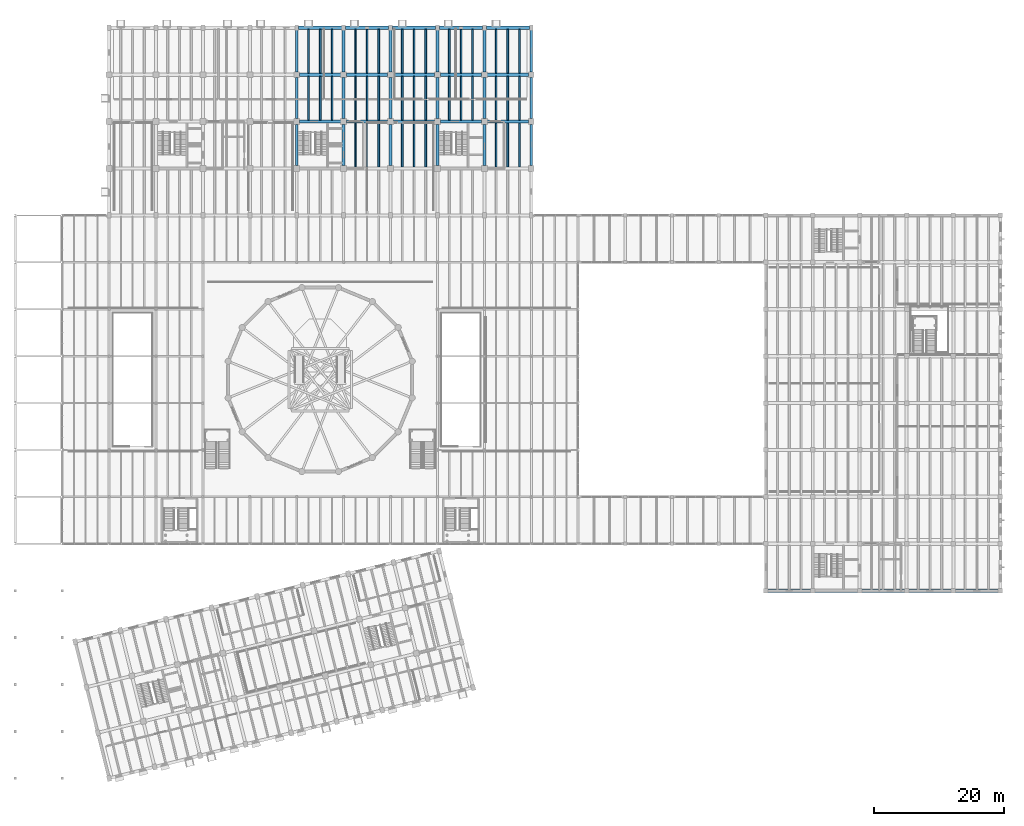
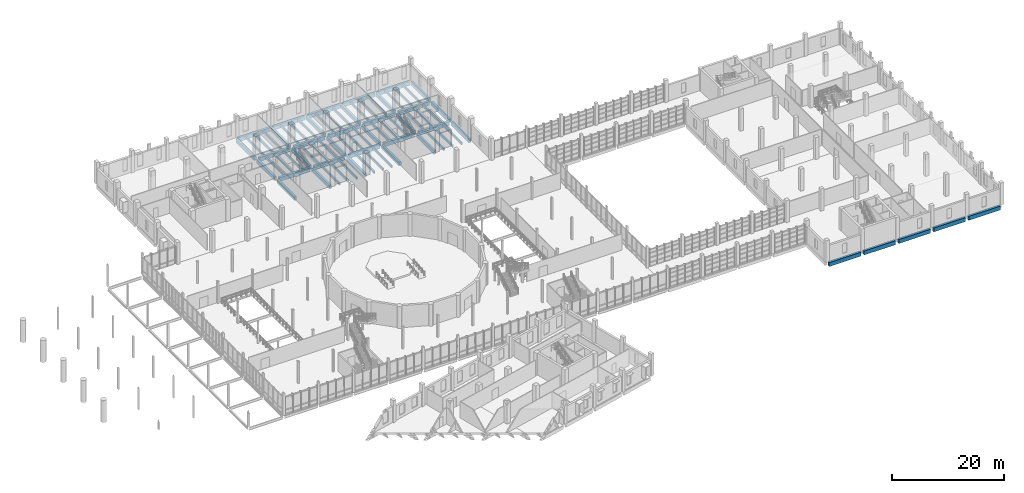
# One storey, part 41 of 77: 77 beams.
"""IFC4 building model written with IfcOpenShell, lengths in metres."""

from ifc_helpers import new_model, si_unit, direction, frame, origin, origin_2d, place, context, subcontext, project, spatial, rectangle, extrude, material, material_profile, profile_set, type_object, element, save


model = new_model("IFC4")

# Units and contexts
model_context = context("Model", 3, precision=1e-05, world=origin(), true_north=direction((0.0, 1.0)))
body_context = subcontext(model_context, "Body", "Model", "MODEL_VIEW")
ifc_project = project(units=[si_unit("LENGTHUNIT", "METRE"), si_unit("AREAUNIT", "SQUARE_METRE"), si_unit("VOLUMEUNIT", "CUBIC_METRE"), si_unit("PLANEANGLEUNIT", "RADIAN"), si_unit("MASSUNIT", "GRAM", prefix="KILO")], contexts=[model_context])

# Site, building, storey
site_placement = place(None, origin())
site = spatial("IfcSite", under=ifc_project, at=site_placement, CompositionType="ELEMENT")
building_placement = place(site_placement, origin())
building = spatial("IfcBuilding", under=site, at=building_placement, Name="Qiaolan Assembly House", CompositionType="ELEMENT")
storey_placement = place(building_placement, frame((0.0, 0.0, 5.39990234375)))
storey = spatial("IfcBuildingStorey", under=building, at=storey_placement, Name="L01", CompositionType="ELEMENT", Elevation=5.39990234375)

# Beams
ifc_material_1 = material(Name="Concrete C40/50", Category="concrete")
ifc_material_profile_1 = material_profile(ifc_material_1, rectangle(XDim=0.449951171875, YDim=0.800048828125, at=origin_2d()), Name="RCB 450x800")
ifc_profile_set_1 = profile_set([ifc_material_profile_1], Name="Concrete C40/50")
beam_type_1 = type_object("IfcBeamType", Name="BM-RC-450x800", PredefinedType="BEAM", material=ifc_profile_set_1)
for number, where, z_axis, x_axis, name in (
    (1, (64.800048828125, 94.0400390625, -0.64990234375), (0.0, 1.0, 0.0), (-1.0, 0.0, 0.0), "GB-03 beam BMY-NW-L01-04-01"),
    (2, (64.800048828125, 101.239990234375, -0.64990234375), (0.0, 1.0, 0.0), (-1.0, 0.0, 0.0), "GB-03 beam BMY-NW-L01-04-02"),
):
    element("IfcBeam", number, at=place(storey_placement, frame(where, z_axis=z_axis, x_axis=x_axis)), inside=storey, type_object=beam_type_1, Name=name, PredefinedType="BEAM", context=body_context, shape_type="SweptSolid", body=[
        extrude(rectangle(XDim=0.449951171875, YDim=0.800048828125, at=origin_2d()), origin(), (0.0, 0.0, 1.0), 6.320068359375),
    ])
beam_1_placement = place(storey_placement, frame((64.800048828125, 108.43994140625, -0.64990234375), z_axis=(0.0, 1.0, 0.0), x_axis=(-1.0, 0.0, 0.0)))
element("IfcBeam", 3, at=beam_1_placement, inside=storey, type_object=beam_type_1, Name="GB-03 beam BMY-NW-L01-04-03", PredefinedType="BEAM", context=body_context, shape_type="SweptSolid", body=[
    extrude(rectangle(XDim=0.449951171875, YDim=0.800048828125, at=origin_2d()), origin(), (0.0, 0.0, 1.0), 6.469970703125),
])
for number, where, z_axis, x_axis, name in (
    (4, (72.0, 94.0400390625, -0.64990234375), (0.0, 1.0, 0.0), (-1.0, 0.0, 0.0), "GB-03 beam BMY-NW-L01-05-01"),
    (5, (72.0, 101.239990234375, -0.64990234375), (0.0, 1.0, 0.0), (-1.0, 0.0, 0.0), "GB-03 beam BMY-NW-L01-05-02"),
):
    element("IfcBeam", number, at=place(storey_placement, frame(where, z_axis=z_axis, x_axis=x_axis)), inside=storey, type_object=beam_type_1, Name=name, PredefinedType="BEAM", context=body_context, shape_type="SweptSolid", body=[
        extrude(rectangle(XDim=0.449951171875, YDim=0.800048828125, at=origin_2d()), origin(), (0.0, 0.0, 1.0), 6.320068359375),
    ])
beam_2_placement = place(storey_placement, frame((72.0, 108.43994140625, -0.64990234375), z_axis=(0.0, 1.0, 0.0), x_axis=(-1.0, 0.0, 0.0)))
element("IfcBeam", 6, at=beam_2_placement, inside=storey, type_object=beam_type_1, Name="GB-03 beam BMY-NW-L01-05-03", PredefinedType="BEAM", context=body_context, shape_type="SweptSolid", body=[
    extrude(rectangle(XDim=0.449951171875, YDim=0.800048828125, at=origin_2d()), origin(), (0.0, 0.0, 1.0), 6.469970703125),
])
for number, where, z_axis, x_axis, name in (
    (7, (79.199951171875, 94.0400390625, -0.64990234375), (0.0, 1.0, 0.0), (-1.0, 0.0, 0.0), "GB-03 beam BMY-NW-L01-06-01"),
    (8, (79.199951171875, 101.239990234375, -0.64990234375), (0.0, 1.0, 0.0), (-1.0, 0.0, 0.0), "GB-03 beam BMY-NW-L01-06-02"),
):
    element("IfcBeam", number, at=place(storey_placement, frame(where, z_axis=z_axis, x_axis=x_axis)), inside=storey, type_object=beam_type_1, Name=name, PredefinedType="BEAM", context=body_context, shape_type="SweptSolid", body=[
        extrude(rectangle(XDim=0.449951171875, YDim=0.800048828125, at=origin_2d()), origin(), (0.0, 0.0, 1.0), 6.320068359375),
    ])
beam_3_placement = place(storey_placement, frame((79.199951171875, 108.43994140625, -0.64990234375), z_axis=(0.0, 1.0, 0.0), x_axis=(-1.0, 0.0, 0.0)))
element("IfcBeam", 9, at=beam_3_placement, inside=storey, type_object=beam_type_1, Name="GB-03 beam BMY-NW-L01-06-03", PredefinedType="BEAM", context=body_context, shape_type="SweptSolid", body=[
    extrude(rectangle(XDim=0.449951171875, YDim=0.800048828125, at=origin_2d()), origin(), (0.0, 0.0, 1.0), 6.469970703125),
])
for number, where, z_axis, x_axis, name in (
    (10, (86.39990234375, 94.0400390625, -0.64990234375), (0.0, 1.0, 0.0), (-1.0, 0.0, 0.0), "GB-03 beam BMY-NW-L01-07-01"),
    (11, (86.39990234375, 101.239990234375, -0.64990234375), (0.0, 1.0, 0.0), (-1.0, 0.0, 0.0), "GB-03 beam BMY-NW-L01-07-02"),
):
    element("IfcBeam", number, at=place(storey_placement, frame(where, z_axis=z_axis, x_axis=x_axis)), inside=storey, type_object=beam_type_1, Name=name, PredefinedType="BEAM", context=body_context, shape_type="SweptSolid", body=[
        extrude(rectangle(XDim=0.449951171875, YDim=0.800048828125, at=origin_2d()), origin(), (0.0, 0.0, 1.0), 6.320068359375),
    ])
beam_4_placement = place(storey_placement, frame((86.39990234375, 108.43994140625, -0.64990234375), z_axis=(0.0, 1.0, 0.0), x_axis=(-1.0, 0.0, 0.0)))
element("IfcBeam", 12, at=beam_4_placement, inside=storey, type_object=beam_type_1, Name="GB-03 beam BMY-NW-L01-07-03", PredefinedType="BEAM", context=body_context, shape_type="SweptSolid", body=[
    extrude(rectangle(XDim=0.449951171875, YDim=0.800048828125, at=origin_2d()), origin(), (0.0, 0.0, 1.0), 6.469970703125),
])
for number, where, z_axis, x_axis, name in (
    (13, (93.60009765625, 94.0400390625, -0.64990234375), (0.0, 1.0, 0.0), (-1.0, 0.0, 0.0), "GB-03 beam BMY-NW-L01-08-01"),
    (14, (93.60009765625, 101.239990234375, -0.64990234375), (0.0, 1.0, 0.0), (-1.0, 0.0, 0.0), "GB-03 beam BMY-NW-L01-08-02"),
):
    element("IfcBeam", number, at=place(storey_placement, frame(where, z_axis=z_axis, x_axis=x_axis)), inside=storey, type_object=beam_type_1, Name=name, PredefinedType="BEAM", context=body_context, shape_type="SweptSolid", body=[
        extrude(rectangle(XDim=0.449951171875, YDim=0.800048828125, at=origin_2d()), origin(), (0.0, 0.0, 1.0), 6.320068359375),
    ])
beam_5_placement = place(storey_placement, frame((93.60009765625, 108.43994140625, -0.64990234375), z_axis=(0.0, 1.0, 0.0), x_axis=(-1.0, 0.0, 0.0)))
element("IfcBeam", 15, at=beam_5_placement, inside=storey, type_object=beam_type_1, Name="GB-03 beam BMY-NW-L01-08-03", PredefinedType="BEAM", context=body_context, shape_type="SweptSolid", body=[
    extrude(rectangle(XDim=0.449951171875, YDim=0.800048828125, at=origin_2d()), origin(), (0.0, 0.0, 1.0), 6.469970703125),
])
for number, where, z_axis, x_axis, name in (
    (16, (100.800048828125, 94.0400390625, -0.64990234375), (0.0, 1.0, 0.0), (-1.0, 0.0, 0.0), "GB-03 beam BMY-NW-L01-09-01"),
    (17, (100.800048828125, 101.239990234375, -0.64990234375), (0.0, 1.0, 0.0), (-1.0, 0.0, 0.0), "GB-03 beam BMY-NW-L01-09-02"),
):
    element("IfcBeam", number, at=place(storey_placement, frame(where, z_axis=z_axis, x_axis=x_axis)), inside=storey, type_object=beam_type_1, Name=name, PredefinedType="BEAM", context=body_context, shape_type="SweptSolid", body=[
        extrude(rectangle(XDim=0.449951171875, YDim=0.800048828125, at=origin_2d()), origin(), (0.0, 0.0, 1.0), 6.320068359375),
    ])
beam_6_placement = place(storey_placement, frame((100.800048828125, 108.43994140625, -0.64990234375), z_axis=(0.0, 1.0, 0.0), x_axis=(-1.0, 0.0, 0.0)))
element("IfcBeam", 18, at=beam_6_placement, inside=storey, type_object=beam_type_1, Name="GB-03 beam BMY-NW-L01-09-03", PredefinedType="BEAM", context=body_context, shape_type="SweptSolid", body=[
    extrude(rectangle(XDim=0.449951171875, YDim=0.800048828125, at=origin_2d()), origin(), (0.0, 0.0, 1.0), 6.469970703125),
])
ifc_material_2 = material(Name="Concrete C45/55", Category="concrete")
ifc_material_profile_2 = material_profile(ifc_material_2, rectangle(XDim=0.5, YDim=0.85009765625, at=origin_2d()), Name="RCB 500x850")
ifc_profile_set_2 = profile_set([ifc_material_profile_2], Name="Concrete C45/55")
beam_type_2 = type_object("IfcBeamType", Name="BM-RC-500x850", PredefinedType="BEAM", material=ifc_profile_set_2)
for number, where, z_axis, x_axis, name in (
    (19, (65.239990234375, 100.800048828125, -0.6748046875), (1.0, 0.0, 0.0), (0.0, 1.0, 0.0), "GB-02 beam BMX-NW-L01-04-02"),
    (20, (72.43994140625, 100.800048828125, -0.6748046875), (1.0, 0.0, 0.0), (0.0, 1.0, 0.0), "GB-02 beam BMX-NW-L01-05-02"),
    (21, (79.639892578125, 100.800048828125, -0.6748046875), (1.0, 0.0, 0.0), (0.0, 1.0, 0.0), "GB-02 beam BMX-NW-L01-06-02"),
):
    element("IfcBeam", number, at=place(storey_placement, frame(where, z_axis=z_axis, x_axis=x_axis)), inside=storey, type_object=beam_type_2, Name=name, PredefinedType="BEAM", context=body_context, shape_type="SweptSolid", body=[
        extrude(rectangle(XDim=0.5, YDim=0.85009765625, at=origin_2d()), origin(), (0.0, 0.0, 1.0), 6.320068359375),
    ])
beam_7_placement = place(storey_placement, frame((86.840087890625, 100.800048828125, -0.6748046875), z_axis=(1.0, 0.0, 0.0), x_axis=(0.0, 1.0, 0.0)))
element("IfcBeam", 22, at=beam_7_placement, inside=storey, type_object=beam_type_2, Name="GB-02 beam BMX-NW-L01-07-02", PredefinedType="BEAM", context=body_context, shape_type="SweptSolid", body=[
    extrude(rectangle(XDim=0.5, YDim=0.85009765625, at=origin_2d()), origin(), (0.0, 0.0, 1.0), 6.31982421875),
])
for number, where, z_axis, x_axis, name in (
    (23, (94.0400390625, 100.800048828125, -0.6748046875), (1.0, 0.0, 0.0), (0.0, 1.0, 0.0), "GB-02 beam BMX-NW-L01-08-02"),
    (24, (65.239990234375, 108.0, -0.6748046875), (1.0, 0.0, 0.0), (0.0, 1.0, 0.0), "GB-02 beam BMX-NW-L01-04-03"),
    (25, (72.43994140625, 108.0, -0.6748046875), (1.0, 0.0, 0.0), (0.0, 1.0, 0.0), "GB-02 beam BMX-NW-L01-05-03"),
    (26, (79.639892578125, 108.0, -0.6748046875), (1.0, 0.0, 0.0), (0.0, 1.0, 0.0), "GB-02 beam BMX-NW-L01-06-03"),
):
    element("IfcBeam", number, at=place(storey_placement, frame(where, z_axis=z_axis, x_axis=x_axis)), inside=storey, type_object=beam_type_2, Name=name, PredefinedType="BEAM", context=body_context, shape_type="SweptSolid", body=[
        extrude(rectangle(XDim=0.5, YDim=0.85009765625, at=origin_2d()), origin(), (0.0, 0.0, 1.0), 6.320068359375),
    ])
beam_8_placement = place(storey_placement, frame((86.840087890625, 108.0, -0.6748046875), z_axis=(1.0, 0.0, 0.0), x_axis=(0.0, 1.0, 0.0)))
element("IfcBeam", 27, at=beam_8_placement, inside=storey, type_object=beam_type_2, Name="GB-02 beam BMX-NW-L01-07-03", PredefinedType="BEAM", context=body_context, shape_type="SweptSolid", body=[
    extrude(rectangle(XDim=0.5, YDim=0.85009765625, at=origin_2d()), origin(), (0.0, 0.0, 1.0), 6.31982421875),
])
beam_9_placement = place(storey_placement, frame((94.0400390625, 108.0, -0.6748046875), z_axis=(1.0, 0.0, 0.0), x_axis=(0.0, 1.0, 0.0)))
element("IfcBeam", 28, at=beam_9_placement, inside=storey, type_object=beam_type_2, Name="GB-02 beam BMX-NW-L01-08-03", PredefinedType="BEAM", context=body_context, shape_type="SweptSolid", body=[
    extrude(rectangle(XDim=0.5, YDim=0.85009765625, at=origin_2d()), origin(), (0.0, 0.0, 1.0), 6.320068359375),
])
for number, where, z_axis, x_axis, name in (
    (29, (65.090087890625, 115.199951171875, -0.6748046875), (1.0, 0.0, 0.0), (0.0, 1.0, 0.0), "GB-02 beam BMX-NW-L01-04-04"),
    (30, (72.2900390625, 115.199951171875, -0.6748046875), (1.0, 0.0, 0.0), (0.0, 1.0, 0.0), "GB-02 beam BMX-NW-L01-05-04"),
):
    element("IfcBeam", number, at=place(storey_placement, frame(where, z_axis=z_axis, x_axis=x_axis)), inside=storey, type_object=beam_type_2, Name=name, PredefinedType="BEAM", context=body_context, shape_type="SweptSolid", body=[
        extrude(rectangle(XDim=0.5, YDim=0.85009765625, at=origin_2d()), origin(), (0.0, 0.0, 1.0), 6.619873046875),
    ])
for number, where, z_axis, x_axis, name in (
    (31, (79.489990234375, 115.199951171875, -0.6748046875), (1.0, 0.0, 0.0), (0.0, 1.0, 0.0), "GB-02 beam BMX-NW-L01-06-04"),
    (32, (86.68994140625, 115.199951171875, -0.6748046875), (1.0, 0.0, 0.0), (0.0, 1.0, 0.0), "GB-02 beam BMX-NW-L01-07-04"),
    (33, (93.889892578125, 115.199951171875, -0.6748046875), (1.0, 0.0, 0.0), (0.0, 1.0, 0.0), "GB-02 beam BMX-NW-L01-08-04"),
):
    element("IfcBeam", number, at=place(storey_placement, frame(where, z_axis=z_axis, x_axis=x_axis)), inside=storey, type_object=beam_type_2, Name=name, PredefinedType="BEAM", context=body_context, shape_type="SweptSolid", body=[
        extrude(rectangle(XDim=0.5, YDim=0.85009765625, at=origin_2d()), origin(), (0.0, 0.0, 1.0), 6.6201171875),
    ])
for number, where, z_axis, x_axis, name in (
    (34, (137.139892578125, 28.800048828125, -0.69482421875), (1.0, 0.0, 0.0), (0.0, 1.0, 0.0), "GB-02 beam BMX-LB-L01-00-00"),
    (35, (144.340087890625, 28.800048828125, -0.69482421875), (1.0, 0.0, 0.0), (0.0, 1.0, 0.0), "GB-02 beam BMX-LB-L01-01-00"),
    (36, (151.5400390625, 28.800048828125, -0.69482421875), (1.0, 0.0, 0.0), (0.0, 1.0, 0.0), "GB-02 beam BMX-LB-L01-02-00"),
    (37, (158.739990234375, 28.800048828125, -0.69482421875), (1.0, 0.0, 0.0), (0.0, 1.0, 0.0), "GB-02 beam BMX-LB-L01-03-00"),
    (38, (165.93994140625, 28.800048828125, -0.69482421875), (1.0, 0.0, 0.0), (0.0, 1.0, 0.0), "GB-02 beam BMX-LB-L01-04-00"),
):
    element("IfcBeam", number, at=place(storey_placement, frame(where, z_axis=z_axis, x_axis=x_axis)), inside=storey, type_object=beam_type_2, Name=name, PredefinedType="BEAM", context=body_context, shape_type="SweptSolid", body=[
        extrude(rectangle(XDim=0.5, YDim=0.85009765625, at=origin_2d()), origin(), (0.0, 0.0, 1.0), 6.52001953125),
    ])
ifc_material_profile_3 = material_profile(ifc_material_1, rectangle(XDim=0.260009765625, YDim=0.52001953125, at=origin_2d()), Name="RCB 260x520")
ifc_profile_set_3 = profile_set([ifc_material_profile_3], Name="Concrete C40/50")
beam_type_3 = type_object("IfcBeamType", Name="JST-RC-260x520", PredefinedType="JOIST", material=ifc_profile_set_3)
for number, where, z_axis, x_axis, name in (
    (39, (66.60009765625, 101.0439453125, -0.510009765625), (0.0, 1.0, 0.0), (-1.0, 0.0, 0.0), "RJ-07 beam JST-NW-L01-04-02-1"),
    (40, (68.39990234375, 101.0439453125, -0.510009765625), (0.0, 1.0, 0.0), (-1.0, 0.0, 0.0), "RJ-07 beam JST-NW-L01-04-02-2"),
    (41, (70.199951171875, 101.0439453125, -0.510009765625), (0.0, 1.0, 0.0), (-1.0, 0.0, 0.0), "RJ-07 beam JST-NW-L01-04-02-3"),
    (42, (66.60009765625, 108.243896484375, -0.510009765625), (0.0, 1.0, 0.0), (-1.0, 0.0, 0.0), "RJ-07 beam JST-NW-L01-04-03-1"),
    (43, (68.39990234375, 108.243896484375, -0.510009765625), (0.0, 1.0, 0.0), (-1.0, 0.0, 0.0), "RJ-07 beam JST-NW-L01-04-03-2"),
    (44, (70.199951171875, 108.243896484375, -0.510009765625), (0.0, 1.0, 0.0), (-1.0, 0.0, 0.0), "RJ-07 beam JST-NW-L01-04-03-3"),
):
    element("IfcBeam", number, at=place(storey_placement, frame(where, z_axis=z_axis, x_axis=x_axis)), inside=storey, type_object=beam_type_3, Name=name, PredefinedType="JOIST", context=body_context, shape_type="SweptSolid", body=[
        extrude(rectangle(XDim=0.260009765625, YDim=0.52001953125, at=origin_2d()), origin(), (0.0, 0.0, 1.0), 6.712158203125),
    ])
for number, where, z_axis, x_axis, name in (
    (45, (73.800048828125, 93.843994140625, -0.510009765625), (0.0, 1.0, 0.0), (-1.0, 0.0, 0.0), "RJ-07 beam JST-NW-L01-05-01-1"),
    (46, (75.60009765625, 93.843994140625, -0.510009765625), (0.0, 1.0, 0.0), (-1.0, 0.0, 0.0), "RJ-07 beam JST-NW-L01-05-01-2"),
    (47, (77.39990234375, 93.843994140625, -0.510009765625), (0.0, 1.0, 0.0), (-1.0, 0.0, 0.0), "RJ-07 beam JST-NW-L01-05-01-3"),
):
    element("IfcBeam", number, at=place(storey_placement, frame(where, z_axis=z_axis, x_axis=x_axis)), inside=storey, type_object=beam_type_3, Name=name, PredefinedType="JOIST", context=body_context, shape_type="SweptSolid", body=[
        extrude(rectangle(XDim=0.260009765625, YDim=0.52001953125, at=origin_2d()), origin(), (0.0, 0.0, 1.0), 6.7119140625),
    ])
for number, where, z_axis, x_axis, name in (
    (48, (73.800048828125, 101.0439453125, -0.510009765625), (0.0, 1.0, 0.0), (-1.0, 0.0, 0.0), "RJ-07 beam JST-NW-L01-05-02-1"),
    (49, (75.60009765625, 101.0439453125, -0.510009765625), (0.0, 1.0, 0.0), (-1.0, 0.0, 0.0), "RJ-07 beam JST-NW-L01-05-02-2"),
    (50, (77.39990234375, 101.0439453125, -0.510009765625), (0.0, 1.0, 0.0), (-1.0, 0.0, 0.0), "RJ-07 beam JST-NW-L01-05-02-3"),
    (51, (73.800048828125, 108.243896484375, -0.510009765625), (0.0, 1.0, 0.0), (-1.0, 0.0, 0.0), "RJ-07 beam JST-NW-L01-05-03-1"),
    (52, (75.60009765625, 108.243896484375, -0.510009765625), (0.0, 1.0, 0.0), (-1.0, 0.0, 0.0), "RJ-07 beam JST-NW-L01-05-03-2"),
    (53, (77.39990234375, 108.243896484375, -0.510009765625), (0.0, 1.0, 0.0), (-1.0, 0.0, 0.0), "RJ-07 beam JST-NW-L01-05-03-3"),
):
    element("IfcBeam", number, at=place(storey_placement, frame(where, z_axis=z_axis, x_axis=x_axis)), inside=storey, type_object=beam_type_3, Name=name, PredefinedType="JOIST", context=body_context, shape_type="SweptSolid", body=[
        extrude(rectangle(XDim=0.260009765625, YDim=0.52001953125, at=origin_2d()), origin(), (0.0, 0.0, 1.0), 6.712158203125),
    ])
for number, where, z_axis, x_axis, name in (
    (54, (81.0, 93.843994140625, -0.510009765625), (0.0, 1.0, 0.0), (-1.0, 0.0, 0.0), "RJ-07 beam JST-NW-L01-06-01-1"),
    (55, (82.800048828125, 93.843994140625, -0.510009765625), (0.0, 1.0, 0.0), (-1.0, 0.0, 0.0), "RJ-07 beam JST-NW-L01-06-01-2"),
    (56, (84.60009765625, 93.843994140625, -0.510009765625), (0.0, 1.0, 0.0), (-1.0, 0.0, 0.0), "RJ-07 beam JST-NW-L01-06-01-3"),
):
    element("IfcBeam", number, at=place(storey_placement, frame(where, z_axis=z_axis, x_axis=x_axis)), inside=storey, type_object=beam_type_3, Name=name, PredefinedType="JOIST", context=body_context, shape_type="SweptSolid", body=[
        extrude(rectangle(XDim=0.260009765625, YDim=0.52001953125, at=origin_2d()), origin(), (0.0, 0.0, 1.0), 6.7119140625),
    ])
for number, where, z_axis, x_axis, name in (
    (57, (81.0, 101.0439453125, -0.510009765625), (0.0, 1.0, 0.0), (-1.0, 0.0, 0.0), "RJ-07 beam JST-NW-L01-06-02-1"),
    (58, (82.800048828125, 101.0439453125, -0.510009765625), (0.0, 1.0, 0.0), (-1.0, 0.0, 0.0), "RJ-07 beam JST-NW-L01-06-02-2"),
    (59, (84.60009765625, 101.0439453125, -0.510009765625), (0.0, 1.0, 0.0), (-1.0, 0.0, 0.0), "RJ-07 beam JST-NW-L01-06-02-3"),
    (60, (81.0, 108.243896484375, -0.510009765625), (0.0, 1.0, 0.0), (-1.0, 0.0, 0.0), "RJ-07 beam JST-NW-L01-06-03-1"),
    (61, (82.800048828125, 108.243896484375, -0.510009765625), (0.0, 1.0, 0.0), (-1.0, 0.0, 0.0), "RJ-07 beam JST-NW-L01-06-03-2"),
    (62, (84.60009765625, 108.243896484375, -0.510009765625), (0.0, 1.0, 0.0), (-1.0, 0.0, 0.0), "RJ-07 beam JST-NW-L01-06-03-3"),
    (63, (88.199951171875, 101.0439453125, -0.510009765625), (0.0, 1.0, 0.0), (-1.0, 0.0, 0.0), "RJ-07 beam JST-NW-L01-07-02-1"),
    (64, (90.0, 101.0439453125, -0.510009765625), (0.0, 1.0, 0.0), (-1.0, 0.0, 0.0), "RJ-07 beam JST-NW-L01-07-02-2"),
    (65, (91.800048828125, 101.0439453125, -0.510009765625), (0.0, 1.0, 0.0), (-1.0, 0.0, 0.0), "RJ-07 beam JST-NW-L01-07-02-3"),
    (66, (88.199951171875, 108.243896484375, -0.510009765625), (0.0, 1.0, 0.0), (-1.0, 0.0, 0.0), "RJ-07 beam JST-NW-L01-07-03-1"),
    (67, (90.0, 108.243896484375, -0.510009765625), (0.0, 1.0, 0.0), (-1.0, 0.0, 0.0), "RJ-07 beam JST-NW-L01-07-03-2"),
    (68, (91.800048828125, 108.243896484375, -0.510009765625), (0.0, 1.0, 0.0), (-1.0, 0.0, 0.0), "RJ-07 beam JST-NW-L01-07-03-3"),
):
    element("IfcBeam", number, at=place(storey_placement, frame(where, z_axis=z_axis, x_axis=x_axis)), inside=storey, type_object=beam_type_3, Name=name, PredefinedType="JOIST", context=body_context, shape_type="SweptSolid", body=[
        extrude(rectangle(XDim=0.260009765625, YDim=0.52001953125, at=origin_2d()), origin(), (0.0, 0.0, 1.0), 6.712158203125),
    ])
for number, where, z_axis, x_axis, name in (
    (69, (95.39990234375, 93.843994140625, -0.510009765625), (0.0, 1.0, 0.0), (-1.0, 0.0, 0.0), "RJ-07 beam JST-NW-L01-08-01-1"),
    (70, (97.199951171875, 93.843994140625, -0.510009765625), (0.0, 1.0, 0.0), (-1.0, 0.0, 0.0), "RJ-07 beam JST-NW-L01-08-01-2"),
    (71, (99.0, 93.843994140625, -0.510009765625), (0.0, 1.0, 0.0), (-1.0, 0.0, 0.0), "RJ-07 beam JST-NW-L01-08-01-3"),
):
    element("IfcBeam", number, at=place(storey_placement, frame(where, z_axis=z_axis, x_axis=x_axis)), inside=storey, type_object=beam_type_3, Name=name, PredefinedType="JOIST", context=body_context, shape_type="SweptSolid", body=[
        extrude(rectangle(XDim=0.260009765625, YDim=0.52001953125, at=origin_2d()), origin(), (0.0, 0.0, 1.0), 6.7119140625),
    ])
for number, where, z_axis, x_axis, name in (
    (72, (95.39990234375, 101.0439453125, -0.510009765625), (0.0, 1.0, 0.0), (-1.0, 0.0, 0.0), "RJ-07 beam JST-NW-L01-08-02-1"),
    (73, (97.199951171875, 101.0439453125, -0.510009765625), (0.0, 1.0, 0.0), (-1.0, 0.0, 0.0), "RJ-07 beam JST-NW-L01-08-02-2"),
    (74, (99.0, 101.0439453125, -0.510009765625), (0.0, 1.0, 0.0), (-1.0, 0.0, 0.0), "RJ-07 beam JST-NW-L01-08-02-3"),
    (75, (95.39990234375, 108.243896484375, -0.510009765625), (0.0, 1.0, 0.0), (-1.0, 0.0, 0.0), "RJ-07 beam JST-NW-L01-08-03-1"),
    (76, (97.199951171875, 108.243896484375, -0.510009765625), (0.0, 1.0, 0.0), (-1.0, 0.0, 0.0), "RJ-07 beam JST-NW-L01-08-03-2"),
    (77, (99.0, 108.243896484375, -0.510009765625), (0.0, 1.0, 0.0), (-1.0, 0.0, 0.0), "RJ-07 beam JST-NW-L01-08-03-3"),
):
    element("IfcBeam", number, at=place(storey_placement, frame(where, z_axis=z_axis, x_axis=x_axis)), inside=storey, type_object=beam_type_3, Name=name, PredefinedType="JOIST", context=body_context, shape_type="SweptSolid", body=[
        extrude(rectangle(XDim=0.260009765625, YDim=0.52001953125, at=origin_2d()), origin(), (0.0, 0.0, 1.0), 6.712158203125),
    ])

save(model, "model.ifc")
